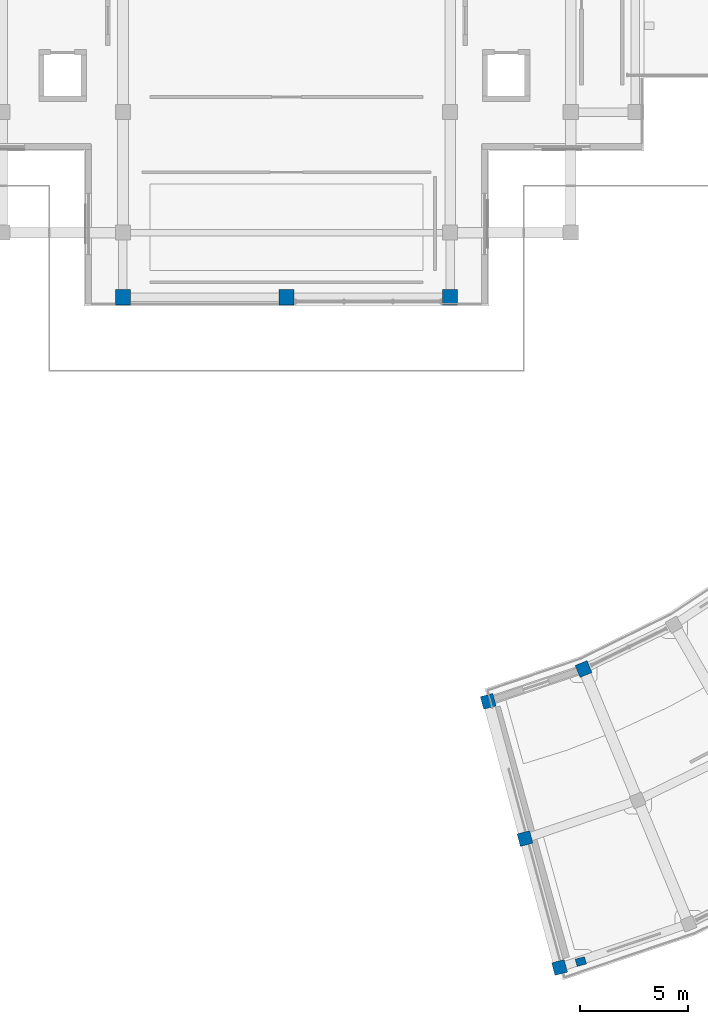
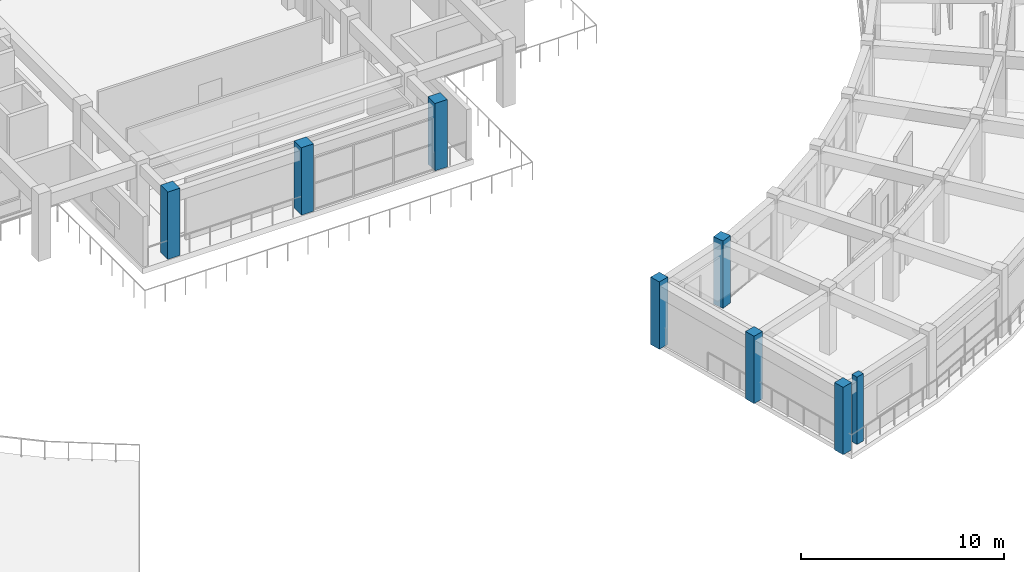
# One storey, part 1 of 53: 8 columns.
"""IFC4 building model written with IfcOpenShell, lengths in metres."""

from ifc_helpers import new_model, si_unit, direction, frame, origin, origin_2d, place, context, subcontext, project, spatial, rectangle, extrude, material, material_profile, profile_set, type_object, element, save


model = new_model("IFC4")

# Units and contexts
model_context = context("Model", 3, precision=1e-05, world=origin(), true_north=direction((0.0, 1.0)))
body_context = subcontext(model_context, "Body", "Model", "MODEL_VIEW")
ifc_project = project(units=[si_unit("LENGTHUNIT", "METRE"), si_unit("AREAUNIT", "SQUARE_METRE"), si_unit("VOLUMEUNIT", "CUBIC_METRE"), si_unit("PLANEANGLEUNIT", "RADIAN"), si_unit("MASSUNIT", "GRAM", prefix="KILO")], contexts=[model_context])

# Site, building, storey
site_placement = place(None, origin())
site = spatial("IfcSite", under=ifc_project, at=site_placement, CompositionType="ELEMENT")
building_placement = place(site_placement, origin())
building = spatial("IfcBuilding", under=site, at=building_placement, Name="Saryqyr Civic Hall", CompositionType="ELEMENT")
storey_placement = place(building_placement, frame((0.0, 0.0, 21.300048828125)))
storey = spatial("IfcBuildingStorey", under=building, at=storey_placement, Name="L05", CompositionType="ELEMENT", Elevation=21.300048828125)

# Columns
ifc_material_1 = material(Name="Concrete C40/50", Category="concrete")
ifc_material_profile_1 = material_profile(ifc_material_1, rectangle(XDim=0.60009765625, YDim=0.60009765625, at=origin_2d()), Name="RC 600x600")
ifc_profile_set_1 = profile_set([ifc_material_profile_1], Name="Concrete C40/50")
column_type_1 = type_object("IfcColumnType", Name="STR-COL-RC600-C40", PredefinedType="COLUMN", material=ifc_profile_set_1)
for number, where, z_axis, x_axis, name in (
    (1, (66.369140625, 49.033447265625, 0.0), (0.0, 0.0, 1.0), (0.258819045103, -0.965925826289, 0.0), "Column V5-COL-IN00-L05"),
    (2, (68.077392578125, 42.658447265625, 0.0), (0.0, 0.0, 1.0), (0.258819045103, -0.965925826289, 0.0), "Column V5-COL-MID00-L05"),
    (3, (69.68212890625, 36.669677734375, 0.0), (0.0, 0.0, 1.0), (0.258819045103, -0.965925826289, 0.0), "Column V5-COL-OUT00-L05"),
    (4, (70.797607421875, 50.53271484375, 0.0), (0.0, 0.0, 1.0), (0.38107037635, -0.924546033612, 0.0), "Column V5-COL-IN01-L05"),
):
    element("IfcColumn", number, at=place(storey_placement, frame(where, z_axis=z_axis, x_axis=x_axis)), inside=storey, type_object=column_type_1, Name=name, PredefinedType="COLUMN", context=body_context, shape_type="SweptSolid", body=[
        extrude(rectangle(XDim=0.60009765625, YDim=0.60009765625, at=origin_2d()), origin(), (0.0, 0.0, 1.0), 4.050048828125),
    ])
ifc_material_profile_2 = material_profile(ifc_material_1, rectangle(XDim=0.699951171875, YDim=0.699951171875, at=origin_2d()), Name="RC 700x700")
ifc_profile_set_2 = profile_set([ifc_material_profile_2], Name="Concrete C40/50")
column_type_2 = type_object("IfcColumnType", Name="STR-COL-RC700-C40", PredefinedType="COLUMN", material=ifc_profile_set_2)
for number, where, z_axis, x_axis, name in (
    (5, (49.39990234375, 67.800048828125, 0.0), (0.0, 0.0, 1.0), (1.0, 0.0, 0.0), "Column V1-COL-S3P07-L05"),
    (6, (57.0, 67.800048828125, 0.0), (0.0, 0.0, 1.0), (1.0, 0.0, 0.0), "Column V1-COL-S3P08-L05"),
    (7, (64.60009765625, 67.800048828125, 0.0), (0.0, 0.0, 1.0), (1.0, 0.0, 0.0), "Column V1-COL-S3P09-L05"),
):
    element("IfcColumn", number, at=place(storey_placement, frame(where, z_axis=z_axis, x_axis=x_axis)), inside=storey, type_object=column_type_2, Name=name, PredefinedType="COLUMN", context=body_context, shape_type="SweptSolid", body=[
        extrude(rectangle(XDim=0.699951171875, YDim=0.699951171875, at=origin_2d()), origin(), (0.0, 0.0, 1.0), 4.050048828125),
    ])
ifc_material_2 = material(Name="Concrete C35/45", Category="concrete")
ifc_material_profile_3 = material_profile(ifc_material_2, rectangle(XDim=0.35009765625, YDim=0.449951171875, at=origin_2d()), Name="RC 350x450")
ifc_profile_set_3 = profile_set([ifc_material_profile_3], Name="Concrete C35/45")
column_type_3 = type_object("IfcColumnType", Name="STR-PIL-RC350x450-EXT", PredefinedType="PILASTER", material=ifc_profile_set_3)
column_placement = place(storey_placement, frame((70.670654296875, 36.945556640625, 0.0), z_axis=(0.0, 0.0, 1.0), x_axis=(0.258819045103, -0.965925826289, 0.0)))
element("IfcColumn", 8, at=column_placement, inside=storey, type_object=column_type_3, Name="Column V5-PIL-00-L05", PredefinedType="PILASTER", context=body_context, shape_type="SweptSolid", body=[
    extrude(rectangle(XDim=0.35009765625, YDim=0.449951171875, at=origin_2d()), origin(), (0.0, 0.0, 1.0), 4.050048828125),
])

save(model, "model.ifc")
